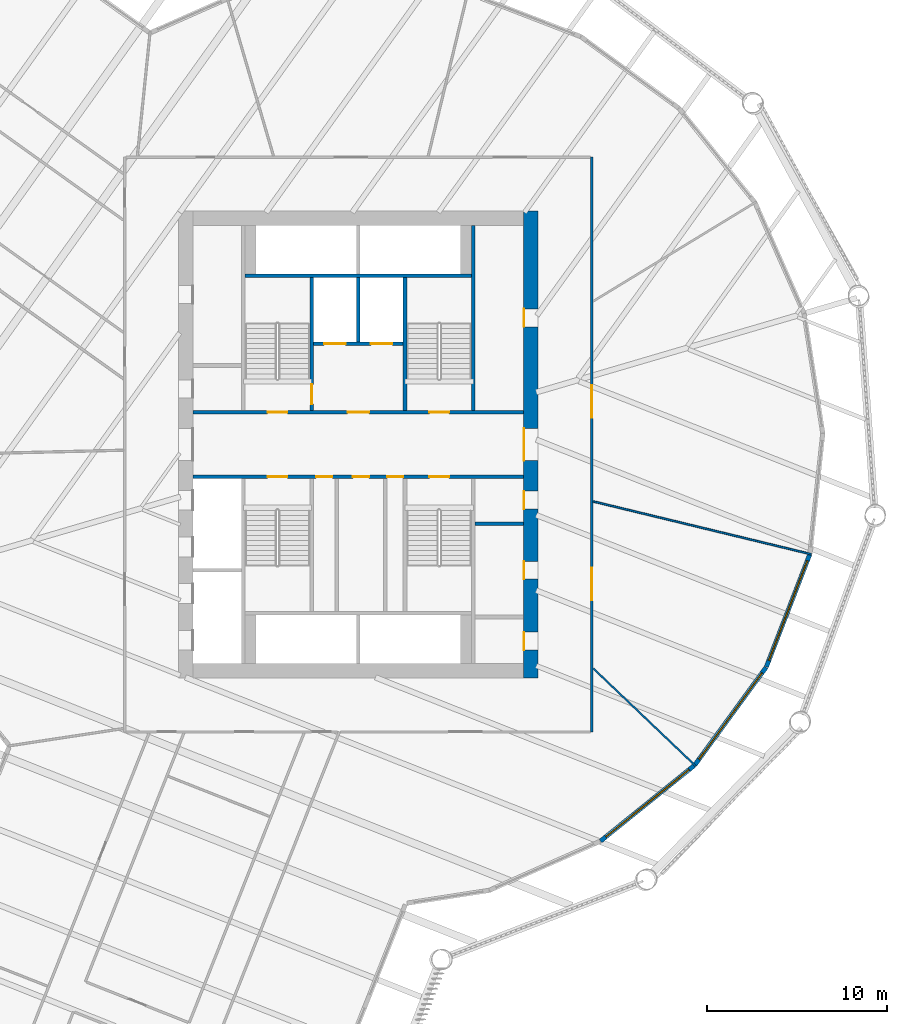
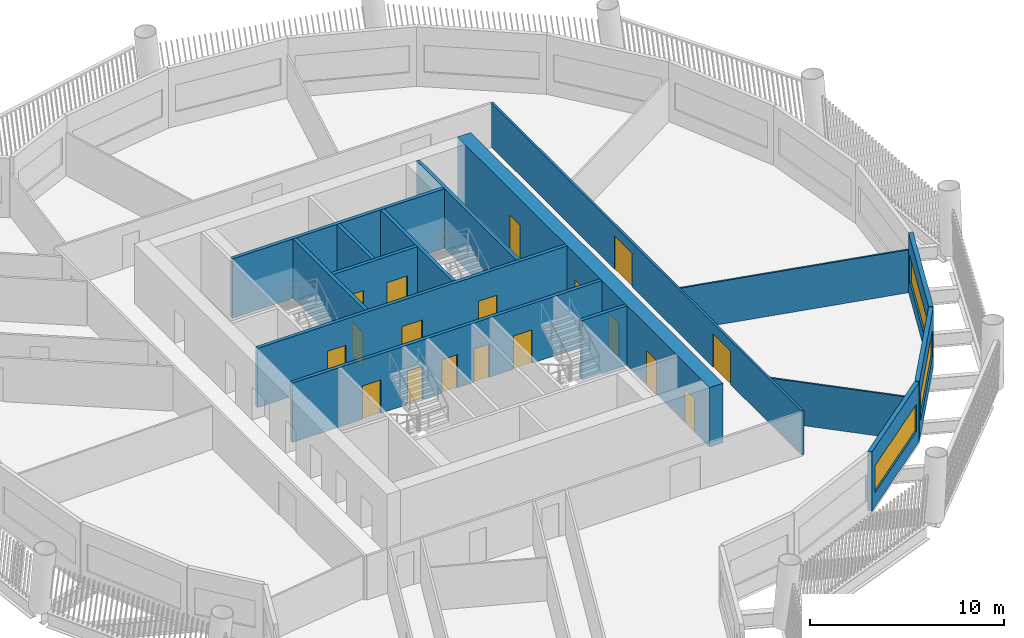
# One storey, part 5 of 17: 18 doors, 16 walls, 3 windows, 21 openings.
"""IFC4 building model written with IfcOpenShell, lengths in metres."""

from ifc_helpers import new_model, si_unit, direction, frame, frame_2d, origin, place, context, subcontext, project, spatial, rectangle, extrude, material, layer, layer_set, type_object, element, fill, save


model = new_model("IFC4")

# Units and contexts
model_context = context("Model", 3, precision=1e-05, world=origin(), true_north=direction((0.0, 1.0)))
body_context = subcontext(model_context, "Body", "Model", "MODEL_VIEW")
ifc_project = project(units=[si_unit("LENGTHUNIT", "METRE"), si_unit("AREAUNIT", "SQUARE_METRE"), si_unit("VOLUMEUNIT", "CUBIC_METRE"), si_unit("PLANEANGLEUNIT", "RADIAN"), si_unit("MASSUNIT", "GRAM", prefix="KILO")], contexts=[model_context])

# Site, building, storey
site_placement = place(None, origin())
site = spatial("IfcSite", under=ifc_project, at=site_placement, CompositionType="ELEMENT")
building_placement = place(site_placement, origin())
building = spatial("IfcBuilding", under=site, at=building_placement, Name="Tarsis Ring Headquarters", CompositionType="ELEMENT")
storey_placement = place(building_placement, frame((0.0, 0.0, 127.89990234375)))
storey = spatial("IfcBuildingStorey", under=building, at=storey_placement, Name="L29", CompositionType="ELEMENT", Elevation=127.89990234375)

# Wall
ifc_material_1 = material(Name="Blockwork", Category="masonry")
ifc_layer_1 = layer(ifc_material_1, 0.199951171875)
ifc_layer_set_1 = layer_set([ifc_layer_1], Name="Core blockwork wall 200")
wall_type_1 = type_object("IfcWallType", Name="Core blockwork wall 200", PredefinedType="PARTITIONING", material=ifc_layer_set_1)
wall_1_placement = place(storey_placement, frame((6.5, -4.39990234375, 0.0), z_axis=(0.0, 0.0, 1.0), x_axis=(1.0, 0.0, 0.0)))
element("IfcWall", 1, at=wall_1_placement, inside=storey, type_object=wall_type_1, Name="Core partition ED3", PredefinedType="PARTITIONING", context=body_context, shape_type="SweptSolid", body=[
    extrude(rectangle(XDim=2.699951171875, YDim=0.199951171875, at=frame_2d((1.35009765625, 0.0))), origin(), (0.0, 0.0, 1.0), 3.739990234375),
])

# Wall, openings, doors
ifc_material_2 = material(Name="Concrete C60/75", Category="concrete")
ifc_layer_2 = layer(ifc_material_2, 0.800048828125)
ifc_layer_set_2 = layer_set([ifc_layer_2], Name="Core wall 800 C60/75")
wall_type_2 = type_object("IfcWallType", Name="Core wall 800 C60/75", PredefinedType="SHEAR", material=ifc_layer_set_2)
wall_2_placement = place(storey_placement, frame((9.60009765625, -13.0, 0.0), z_axis=(0.0, 0.0, 1.0), x_axis=(0.0, 1.0, 0.0)))
wall_2 = element("IfcWall", 2, at=wall_2_placement, inside=storey, type_object=wall_type_2, Name="Core wall OE", PredefinedType="SHEAR", context=body_context, shape_type="SweptSolid", body=[
    extrude(rectangle(XDim=26.0, YDim=0.800048828125, at=frame_2d((13.0, 0.0))), origin(), (0.0, 0.0, 1.0), 3.739990234375),
])
opening_1_placement = place(wall_2_placement, frame((1.550048828125, 0.0, 0.0)))
opening_1 = element("IfcOpeningElement", 3, at=opening_1_placement, cuts=wall_2, Name="Opening L29-C08", PredefinedType="OPENING", context=body_context, shape_type="SweptSolid", body=[
    extrude(rectangle(XDim=1.0, YDim=2.10009765625, at=frame_2d((0.5, 1.050048828125))), frame((0.0, 0.409912109375, 0.0), z_axis=(0.0, -1.0, 0.0), x_axis=(1.0, 0.0, 0.0)), (0.0, 0.0, 1.0), 0.820068359375),
])
opening_2_placement = place(wall_2_placement, frame((5.5, 0.0, 0.0)))
opening_2 = element("IfcOpeningElement", 4, at=opening_2_placement, cuts=wall_2, Name="Opening L29-C09", PredefinedType="OPENING", context=body_context, shape_type="SweptSolid", body=[
    extrude(rectangle(XDim=1.0, YDim=2.10009765625, at=frame_2d((0.5, 1.050048828125))), frame((0.0, 0.409912109375, 0.0), z_axis=(0.0, -1.0, 0.0), x_axis=(1.0, 0.0, 0.0)), (0.0, 0.0, 1.0), 0.820068359375),
])
opening_3_placement = place(wall_2_placement, frame((9.39990234375, 0.0, 0.0)))
opening_3 = element("IfcOpeningElement", 5, at=opening_3_placement, cuts=wall_2, Name="Opening L29-C10", PredefinedType="OPENING", context=body_context, shape_type="SweptSolid", body=[
    extrude(rectangle(XDim=1.0, YDim=2.10009765625, at=frame_2d((0.5, 1.050048828125))), frame((0.0, 0.409912109375, 0.0), z_axis=(0.0, -1.0, 0.0), x_axis=(1.0, 0.0, 0.0)), (0.0, 0.0, 1.0), 0.820068359375),
])
opening_4_placement = place(wall_2_placement, frame((12.10009765625, 0.0, 0.0)))
opening_4 = element("IfcOpeningElement", 6, at=opening_4_placement, cuts=wall_2, Name="Opening L29-C11", PredefinedType="OPENING", context=body_context, shape_type="SweptSolid", body=[
    extrude(rectangle(XDim=1.800048828125, YDim=2.10009765625, at=frame_2d((0.89990234375, 1.050048828125))), frame((0.0, 0.409912109375, 0.0), z_axis=(0.0, -1.0, 0.0), x_axis=(1.0, 0.0, 0.0)), (0.0, 0.0, 1.0), 0.820068359375),
])
opening_5_placement = place(wall_2_placement, frame((19.550048828125, 0.0, 0.0)))
opening_5 = element("IfcOpeningElement", 7, at=opening_5_placement, cuts=wall_2, Name="Opening L29-C12", PredefinedType="OPENING", context=body_context, shape_type="SweptSolid", body=[
    extrude(rectangle(XDim=1.0, YDim=2.10009765625, at=frame_2d((0.5, 1.050048828125))), frame((0.0, 0.409912109375, 0.0), z_axis=(0.0, -1.0, 0.0), x_axis=(1.0, 0.0, 0.0)), (0.0, 0.0, 1.0), 0.820068359375),
])
ifc_material_3 = material(Name="Steel S355", Category="steel")
door_type_1 = type_object("IfcDoorType", Name="Core entry door 1800x2100", OperationType="DOUBLE_DOOR_SINGLE_SWING", PredefinedType="DOOR", material=ifc_material_3)
door_1_placement = place(opening_4_placement, origin())
door_1 = element("IfcDoor", 8, at=door_1_placement, inside=storey, type_object=door_type_1, Name="Core entry door L29", OperationType="DOUBLE_DOOR_SINGLE_SWING", OverallHeight=2.10009765625, OverallWidth=1.800048828125, PredefinedType="DOOR", context=body_context, shape_type="SweptSolid", body=[
    extrude(rectangle(XDim=1.800048828125, YDim=2.10009765625, at=frame_2d((0.89990234375, 1.050048828125))), frame((0.0, 0.39990234375, 0.0), z_axis=(0.0, -1.0, 0.0), x_axis=(1.0, 0.0, 0.0)), (0.0, 0.0, 1.0), 0.050048828125),
])
fill(opening_4, door_1)
door_type_2 = type_object("IfcDoorType", Name="Core room door 1000x2100", OperationType="SINGLE_SWING_LEFT", PredefinedType="DOOR", material=ifc_material_3)
door_2_placement = place(opening_1_placement, origin())
door_2 = element("IfcDoor", 9, at=door_2_placement, inside=storey, type_object=door_type_2, Name="Core room door L29", OperationType="SINGLE_SWING_LEFT", OverallHeight=2.10009765625, OverallWidth=1.0, PredefinedType="DOOR", context=body_context, shape_type="SweptSolid", body=[
    extrude(rectangle(XDim=1.0, YDim=2.10009765625, at=frame_2d((0.5, 1.050048828125))), frame((0.0, 0.39990234375, 0.0), z_axis=(0.0, -1.0, 0.0), x_axis=(1.0, 0.0, 0.0)), (0.0, 0.0, 1.0), 0.050048828125),
])
fill(opening_1, door_2)
door_3_placement = place(opening_2_placement, origin())
door_3 = element("IfcDoor", 10, at=door_3_placement, inside=storey, type_object=door_type_2, Name="Core room door L29", OperationType="SINGLE_SWING_LEFT", OverallHeight=2.10009765625, OverallWidth=1.0, PredefinedType="DOOR", context=body_context, shape_type="SweptSolid", body=[
    extrude(rectangle(XDim=1.0, YDim=2.10009765625, at=frame_2d((0.5, 1.050048828125))), frame((0.0, 0.39990234375, 0.0), z_axis=(0.0, -1.0, 0.0), x_axis=(1.0, 0.0, 0.0)), (0.0, 0.0, 1.0), 0.050048828125),
])
fill(opening_2, door_3)
door_4_placement = place(opening_3_placement, origin())
door_4 = element("IfcDoor", 11, at=door_4_placement, inside=storey, type_object=door_type_2, Name="Core room door L29", OperationType="SINGLE_SWING_LEFT", OverallHeight=2.10009765625, OverallWidth=1.0, PredefinedType="DOOR", context=body_context, shape_type="SweptSolid", body=[
    extrude(rectangle(XDim=1.0, YDim=2.10009765625, at=frame_2d((0.5, 1.050048828125))), frame((0.0, 0.39990234375, 0.0), z_axis=(0.0, -1.0, 0.0), x_axis=(1.0, 0.0, 0.0)), (0.0, 0.0, 1.0), 0.050048828125),
])
fill(opening_3, door_4)
door_5_placement = place(opening_5_placement, origin())
door_5 = element("IfcDoor", 12, at=door_5_placement, inside=storey, type_object=door_type_2, Name="Core room door L29", OperationType="SINGLE_SWING_LEFT", OverallHeight=2.10009765625, OverallWidth=1.0, PredefinedType="DOOR", context=body_context, shape_type="SweptSolid", body=[
    extrude(rectangle(XDim=1.0, YDim=2.10009765625, at=frame_2d((0.5, 1.050048828125))), frame((0.0, 0.39990234375, 0.0), z_axis=(0.0, -1.0, 0.0), x_axis=(1.0, 0.0, 0.0)), (0.0, 0.0, 1.0), 0.050048828125),
])
fill(opening_5, door_5)

# Walls
ifc_material_4 = material(Name="Gypsum board on steel studs", Category="steel")
ifc_layer_3 = layer(ifc_material_4, 0.10009765625)
ifc_layer_set_3 = layer_set([ifc_layer_3], Name="FL partition 100 unrated")
wall_type_3 = type_object("IfcWallType", Name="FL partition 100 unrated", PredefinedType="PARTITIONING", material=ifc_layer_set_3)
wall_3_placement = place(storey_placement, frame((13.068115234375, -3.166259765625, 0.0), z_axis=(0.0, 0.0, 1.0), x_axis=(0.971880178258, -0.235475941677, 0.0)))
element("IfcWall", 13, at=wall_3_placement, inside=storey, type_object=wall_type_3, Name="Partition PW3", PredefinedType="PARTITIONING", context=body_context, shape_type="SweptSolid", body=[
    extrude(rectangle(XDim=12.501708984375, YDim=0.10009765625, at=frame_2d((6.2509765625, 0.0))), origin(), (0.0, 0.0, 1.0), 2.7001953125),
])
wall_4_placement = place(storey_placement, frame((13.0869140625, -12.47119140625, 0.0), z_axis=(0.0, 0.0, 1.0), x_axis=(0.723932077164, -0.689871254405, 0.0)))
element("IfcWall", 14, at=wall_4_placement, inside=storey, type_object=wall_type_3, Name="Partition PW3", PredefinedType="PARTITIONING", context=body_context, shape_type="SweptSolid", body=[
    extrude(rectangle(XDim=7.8701171875, YDim=0.10009765625, at=frame_2d((3.93505859375, 0.0))), origin(), (0.0, 0.0, 1.0), 2.7001953125),
])

# Wall, openings, doors
ifc_layer_4 = layer(ifc_material_4, 0.125)
ifc_layer_set_4 = layer_set([ifc_layer_4], Name="FL partition 125 EI 60 H2770")
wall_type_4 = type_object("IfcWallType", Name="FL partition 125 EI 60 H2770", PredefinedType="PARTITIONING", material=ifc_layer_set_4)
wall_5_placement = place(storey_placement, frame((13.0, -15.998046875, 0.0), z_axis=(0.0, 0.0, 1.0), x_axis=(0.0, 1.0, 0.0)))
wall_5 = element("IfcWall", 15, at=wall_5_placement, inside=storey, type_object=wall_type_4, Name="Partition PW1", PredefinedType="PARTITIONING", context=body_context, shape_type="SweptSolid", body=[
    extrude(rectangle(XDim=31.998046875, YDim=0.125, at=frame_2d((15.9990234375, 0.0))), origin(), (0.0, 0.0, 1.0), 2.77001953125),
])
opening_6_placement = place(wall_5_placement, frame((17.487548828125, 0.0, 0.0)))
opening_6 = element("IfcOpeningElement", 16, at=opening_6_placement, cuts=wall_5, Name="Opening D29.07", PredefinedType="OPENING", context=body_context, shape_type="SweptSolid", body=[
    extrude(rectangle(XDim=1.800048828125, YDim=2.10009765625, at=frame_2d((0.89990234375, 1.050048828125))), frame((0.0, 0.072509765625, 0.0), z_axis=(0.0, -1.0, 0.0), x_axis=(1.0, 0.0, 0.0)), (0.0, 0.0, 1.0), 0.14501953125),
])
opening_7_placement = place(wall_5_placement, frame((7.328857421875, 0.0, 0.0)))
opening_7 = element("IfcOpeningElement", 17, at=opening_7_placement, cuts=wall_5, Name="Opening D29.08", PredefinedType="OPENING", context=body_context, shape_type="SweptSolid", body=[
    extrude(rectangle(XDim=1.800048828125, YDim=2.10009765625, at=frame_2d((0.89990234375, 1.050048828125))), frame((0.0, 0.072509765625, 0.0), z_axis=(0.0, -1.0, 0.0), x_axis=(1.0, 0.0, 0.0)), (0.0, 0.0, 1.0), 0.14501953125),
])
ifc_material_5 = material(Name="Fire-rated timber door leaf in steel frame", Category="steel")
door_type_3 = type_object("IfcDoorType", Name="FL door FD60-1800", OperationType="DOUBLE_DOOR_SINGLE_SWING", PredefinedType="DOOR", material=ifc_material_5)
door_6_placement = place(opening_6_placement, origin())
door_6 = element("IfcDoor", 18, at=door_6_placement, inside=storey, type_object=door_type_3, Name="Door D29.07", OperationType="DOUBLE_DOOR_SINGLE_SWING", OverallHeight=2.10009765625, OverallWidth=1.800048828125, PredefinedType="DOOR", context=body_context, shape_type="SweptSolid", body=[
    extrude(rectangle(XDim=1.800048828125, YDim=2.10009765625, at=frame_2d((0.89990234375, 1.050048828125))), frame((0.0, 0.02490234375, 0.0), z_axis=(0.0, -1.0, 0.0), x_axis=(1.0, 0.0, 0.0)), (0.0, 0.0, 1.0), 0.050048828125),
])
fill(opening_6, door_6)
door_7_placement = place(opening_7_placement, origin())
door_7 = element("IfcDoor", 19, at=door_7_placement, inside=storey, type_object=door_type_3, Name="Door D29.08", OperationType="DOUBLE_DOOR_SINGLE_SWING", OverallHeight=2.10009765625, OverallWidth=1.800048828125, PredefinedType="DOOR", context=body_context, shape_type="SweptSolid", body=[
    extrude(rectangle(XDim=1.800048828125, YDim=2.10009765625, at=frame_2d((0.89990234375, 1.050048828125))), frame((0.0, 0.02490234375, 0.0), z_axis=(0.0, -1.0, 0.0), x_axis=(1.0, 0.0, 0.0)), (0.0, 0.0, 1.0), 0.050048828125),
])
fill(opening_7, door_7)

# Wall, opening, window
ifc_material_6 = material(Name="Terracotta clad insulated panel wall", Category="masonry")
ifc_layer_5 = layer(ifc_material_6, 0.25)
ifc_layer_set_5 = layer_set([ifc_layer_5], Name="Facade wall terracotta panel 250")
wall_type_5 = type_object("IfcWallType", Name="Facade wall terracotta panel 250", PredefinedType="STANDARD", material=ifc_layer_set_5)
wall_6_placement = place(storey_placement, frame((13.485595703125, -22.0791015625, 0.0), z_axis=(0.0, 0.0, 1.0), x_axis=(0.778463993771, 0.627689262615, 0.0)))
wall_6 = element("IfcWall", 20, at=wall_6_placement, inside=storey, type_object=wall_type_5, Name="External wall L29-19", PredefinedType="STANDARD", context=body_context, shape_type="SweptSolid", body=[
    extrude(rectangle(XDim=6.721435546875, YDim=0.25, at=frame_2d((3.36083984375, 0.0))), origin(), (0.0, 0.0, 1.0), 3.739990234375),
])
opening_8_placement = place(wall_6_placement, frame((0.3857421875, 0.0, 0.89990234375)))
opening_8 = element("IfcOpeningElement", 21, at=opening_8_placement, cuts=wall_6, Name="Opening WN07", PredefinedType="OPENING", context=body_context, shape_type="SweptSolid", body=[
    extrude(rectangle(XDim=5.949951171875, YDim=1.699951171875, at=frame_2d((2.97509765625, 0.85009765625))), frame((0.0, 0.135009765625, 0.0), z_axis=(0.0, -1.0, 0.0), x_axis=(1.0, 0.0, 0.0)), (0.0, 0.0, 1.0), 0.27001953125),
])
ifc_material_7 = material(Name="Aluminium framed double glazing", Category="aluminium")
window_type = type_object("IfcWindowType", Name="Facade window 5950 x 1700", PartitioningType="SINGLE_PANEL", PredefinedType="WINDOW", material=ifc_material_7)
window_1_placement = place(opening_8_placement, origin())
window_1 = element("IfcWindow", 22, at=window_1_placement, inside=storey, type_object=window_type, Name="Window L29-19.1", OverallHeight=1.699951171875, OverallWidth=5.949951171875, PartitioningType="SINGLE_PANEL", PredefinedType="WINDOW", context=body_context, shape_type="SweptSolid", body=[
    extrude(rectangle(XDim=5.949951171875, YDim=1.699951171875, at=frame_2d((2.97509765625, 0.85009765625))), frame((0.0, 0.030029296875, 0.0), z_axis=(0.0, -1.0, 0.0), x_axis=(1.0, 0.0, 0.0)), (0.0, 0.0, 1.0), 0.06005859375),
])
fill(opening_8, window_1)

wall_7_placement = place(storey_placement, frame((18.74072265625, -17.83642578125, 0.0), z_axis=(0.0, 0.0, 1.0), x_axis=(0.589464586106, 0.807794219914, 0.0)))
wall_7 = element("IfcWall", 23, at=wall_7_placement, inside=storey, type_object=wall_type_5, Name="External wall L29-20", PredefinedType="STANDARD", context=body_context, shape_type="SweptSolid", body=[
    extrude(rectangle(XDim=6.7216796875, YDim=0.25, at=frame_2d((3.36083984375, 0.0))), origin(), (0.0, 0.0, 1.0), 3.739990234375),
])
opening_9_placement = place(wall_7_placement, frame((0.3857421875, 0.0, 0.89990234375)))
opening_9 = element("IfcOpeningElement", 24, at=opening_9_placement, cuts=wall_7, Name="Opening WN07", PredefinedType="OPENING", context=body_context, shape_type="SweptSolid", body=[
    extrude(rectangle(XDim=5.949951171875, YDim=1.699951171875, at=frame_2d((2.97509765625, 0.85009765625))), frame((0.0, 0.135009765625, 0.0), z_axis=(0.0, -1.0, 0.0), x_axis=(1.0, 0.0, 0.0)), (0.0, 0.0, 1.0), 0.27001953125),
])
window_2_placement = place(opening_9_placement, origin())
window_2 = element("IfcWindow", 25, at=window_2_placement, inside=storey, type_object=window_type, Name="Window L29-20.1", OverallHeight=1.699951171875, OverallWidth=5.949951171875, PartitioningType="SINGLE_PANEL", PredefinedType="WINDOW", context=body_context, shape_type="SweptSolid", body=[
    extrude(rectangle(XDim=5.949951171875, YDim=1.699951171875, at=frame_2d((2.97509765625, 0.85009765625))), frame((0.0, 0.030029296875, 0.0), z_axis=(0.0, -1.0, 0.0), x_axis=(1.0, 0.0, 0.0)), (0.0, 0.0, 1.0), 0.06005859375),
])
fill(opening_9, window_2)

wall_8_placement = place(storey_placement, frame((22.718505859375, -12.378173828125, 0.0), z_axis=(0.0, 0.0, 1.0), x_axis=(0.360317393433, 0.932829767959, 0.0)))
wall_8 = element("IfcWall", 26, at=wall_8_placement, inside=storey, type_object=wall_type_5, Name="External wall L29-21", PredefinedType="STANDARD", context=body_context, shape_type="SweptSolid", body=[
    extrude(rectangle(XDim=6.721435546875, YDim=0.25, at=frame_2d((3.36083984375, 0.0))), origin(), (0.0, 0.0, 1.0), 3.739990234375),
])
opening_10_placement = place(wall_8_placement, frame((0.3857421875, 0.0, 0.89990234375)))
opening_10 = element("IfcOpeningElement", 27, at=opening_10_placement, cuts=wall_8, Name="Opening WN07", PredefinedType="OPENING", context=body_context, shape_type="SweptSolid", body=[
    extrude(rectangle(XDim=5.949951171875, YDim=1.699951171875, at=frame_2d((2.97509765625, 0.85009765625))), frame((0.0, 0.135009765625, 0.0), z_axis=(0.0, -1.0, 0.0), x_axis=(1.0, 0.0, 0.0)), (0.0, 0.0, 1.0), 0.27001953125),
])
window_3_placement = place(opening_10_placement, origin())
window_3 = element("IfcWindow", 28, at=window_3_placement, inside=storey, type_object=window_type, Name="Window L29-21.1", OverallHeight=1.699951171875, OverallWidth=5.949951171875, PartitioningType="SINGLE_PANEL", PredefinedType="WINDOW", context=body_context, shape_type="SweptSolid", body=[
    extrude(rectangle(XDim=5.949951171875, YDim=1.699951171875, at=frame_2d((2.97509765625, 0.85009765625))), frame((0.0, 0.030029296875, 0.0), z_axis=(0.0, -1.0, 0.0), x_axis=(1.0, 0.0, 0.0)), (0.0, 0.0, 1.0), 0.06005859375),
])
fill(opening_10, window_3)

# Wall, openings, doors
ifc_material_8 = material(Name="Concrete C32/40", Category="concrete")
ifc_layer_6 = layer(ifc_material_8, 0.199951171875)
ifc_layer_set_6 = layer_set([ifc_layer_6], Name="Shaft wall 200 C32/40")
wall_type_6 = type_object("IfcWallType", Name="Shaft wall 200 C32/40", PredefinedType="SOLIDWALL", material=ifc_layer_set_6)
wall_9_placement = place(storey_placement, frame((-9.199951171875, 1.800048828125, 0.0), z_axis=(0.0, 0.0, 1.0), x_axis=(1.0, 0.0, 0.0)))
wall_9 = element("IfcWall", 29, at=wall_9_placement, inside=storey, type_object=wall_type_6, Name="Core shaft wall CN", PredefinedType="SOLIDWALL", context=body_context, shape_type="SweptSolid", body=[
    extrude(rectangle(XDim=18.39990234375, YDim=0.199951171875, at=frame_2d((9.199951171875, 0.0))), origin(), (0.0, 0.0, 1.0), 3.739990234375),
])
opening_11_placement = place(wall_9_placement, frame((4.14990234375, 0.0, 0.0)))
opening_11 = element("IfcOpeningElement", 30, at=opening_11_placement, cuts=wall_9, Name="Opening L29-C13", PredefinedType="OPENING", context=body_context, shape_type="SweptSolid", body=[
    extrude(rectangle(XDim=1.10009765625, YDim=2.10009765625, at=frame_2d((0.550048828125, 1.050048828125))), frame((0.0, 0.10986328125, 0.0), z_axis=(0.0, -1.0, 0.0), x_axis=(1.0, 0.0, 0.0)), (0.0, 0.0, 1.0), 0.219970703125),
])
opening_12_placement = place(wall_9_placement, frame((8.60009765625, 0.0, 0.0)))
opening_12 = element("IfcOpeningElement", 31, at=opening_12_placement, cuts=wall_9, Name="Opening L29-C14", PredefinedType="OPENING", context=body_context, shape_type="SweptSolid", body=[
    extrude(rectangle(XDim=1.199951171875, YDim=2.10009765625, at=frame_2d((0.60009765625, 1.050048828125))), frame((0.0, 0.10986328125, 0.0), z_axis=(0.0, -1.0, 0.0), x_axis=(1.0, 0.0, 0.0)), (0.0, 0.0, 1.0), 0.219970703125),
])
opening_13_placement = place(wall_9_placement, frame((13.14990234375, 0.0, 0.0)))
opening_13 = element("IfcOpeningElement", 32, at=opening_13_placement, cuts=wall_9, Name="Opening L29-C15", PredefinedType="OPENING", context=body_context, shape_type="SweptSolid", body=[
    extrude(rectangle(XDim=1.10009765625, YDim=2.10009765625, at=frame_2d((0.550048828125, 1.050048828125))), frame((0.0, 0.10986328125, 0.0), z_axis=(0.0, -1.0, 0.0), x_axis=(1.0, 0.0, 0.0)), (0.0, 0.0, 1.0), 0.219970703125),
])
door_type_4 = type_object("IfcDoorType", Name="Firefighting lobby door 1200x2100", OperationType="DOUBLE_DOOR_SINGLE_SWING", PredefinedType="DOOR", material=ifc_material_3)
door_8_placement = place(opening_12_placement, origin())
door_8 = element("IfcDoor", 33, at=door_8_placement, inside=storey, type_object=door_type_4, Name="Firefighting lobby door L29", OperationType="DOUBLE_DOOR_SINGLE_SWING", OverallHeight=2.10009765625, OverallWidth=1.199951171875, PredefinedType="DOOR", context=body_context, shape_type="SweptSolid", body=[
    extrude(rectangle(XDim=1.199951171875, YDim=2.10009765625, at=frame_2d((0.60009765625, 1.050048828125))), frame((0.0, 0.02490234375, 0.0), z_axis=(0.0, -1.0, 0.0), x_axis=(1.0, 0.0, 0.0)), (0.0, 0.0, 1.0), 0.050048828125),
])
fill(opening_12, door_8)
door_type_5 = type_object("IfcDoorType", Name="Stair door 1100x2100", OperationType="SINGLE_SWING_LEFT", PredefinedType="DOOR", material=ifc_material_3)
door_9_placement = place(opening_11_placement, origin())
door_9 = element("IfcDoor", 34, at=door_9_placement, inside=storey, type_object=door_type_5, Name="Stair door L29", OperationType="SINGLE_SWING_LEFT", OverallHeight=2.10009765625, OverallWidth=1.10009765625, PredefinedType="DOOR", context=body_context, shape_type="SweptSolid", body=[
    extrude(rectangle(XDim=1.10009765625, YDim=2.10009765625, at=frame_2d((0.550048828125, 1.050048828125))), frame((0.0, 0.02490234375, 0.0), z_axis=(0.0, -1.0, 0.0), x_axis=(1.0, 0.0, 0.0)), (0.0, 0.0, 1.0), 0.050048828125),
])
fill(opening_11, door_9)
door_10_placement = place(opening_13_placement, origin())
door_10 = element("IfcDoor", 35, at=door_10_placement, inside=storey, type_object=door_type_5, Name="Stair door L29", OperationType="SINGLE_SWING_LEFT", OverallHeight=2.10009765625, OverallWidth=1.10009765625, PredefinedType="DOOR", context=body_context, shape_type="SweptSolid", body=[
    extrude(rectangle(XDim=1.10009765625, YDim=2.10009765625, at=frame_2d((0.550048828125, 1.050048828125))), frame((0.0, 0.02490234375, 0.0), z_axis=(0.0, -1.0, 0.0), x_axis=(1.0, 0.0, 0.0)), (0.0, 0.0, 1.0), 0.050048828125),
])
fill(opening_13, door_10)

wall_10_placement = place(storey_placement, frame((-9.199951171875, -1.800048828125, 0.0), z_axis=(0.0, 0.0, 1.0), x_axis=(1.0, 0.0, 0.0)))
wall_10 = element("IfcWall", 36, at=wall_10_placement, inside=storey, type_object=wall_type_6, Name="Core shaft wall CS", PredefinedType="SOLIDWALL", context=body_context, shape_type="SweptSolid", body=[
    extrude(rectangle(XDim=18.39990234375, YDim=0.199951171875, at=frame_2d((9.199951171875, 0.0))), origin(), (0.0, 0.0, 1.0), 3.739990234375),
])
opening_14_placement = place(wall_10_placement, frame((4.14990234375, 0.0, 0.0)))
opening_14 = element("IfcOpeningElement", 37, at=opening_14_placement, cuts=wall_10, Name="Opening L29-C16", PredefinedType="OPENING", context=body_context, shape_type="SweptSolid", body=[
    extrude(rectangle(XDim=1.10009765625, YDim=2.10009765625, at=frame_2d((0.550048828125, 1.050048828125))), frame((0.0, 0.10986328125, 0.0), z_axis=(0.0, -1.0, 0.0), x_axis=(1.0, 0.0, 0.0)), (0.0, 0.0, 1.0), 0.219970703125),
])
opening_15_placement = place(wall_10_placement, frame((6.85009765625, 0.0, 0.0)))
opening_15 = element("IfcOpeningElement", 38, at=opening_15_placement, cuts=wall_10, Name="Opening L29-C17", PredefinedType="OPENING", context=body_context, shape_type="SweptSolid", body=[
    extrude(rectangle(XDim=0.89990234375, YDim=2.10009765625, at=frame_2d((0.449951171875, 1.050048828125))), frame((0.0, 0.10986328125, 0.0), z_axis=(0.0, -1.0, 0.0), x_axis=(1.0, 0.0, 0.0)), (0.0, 0.0, 1.0), 0.219970703125),
])
opening_16_placement = place(wall_10_placement, frame((8.89990234375, 0.0, 0.0)))
opening_16 = element("IfcOpeningElement", 39, at=opening_16_placement, cuts=wall_10, Name="Opening L29-C18", PredefinedType="OPENING", context=body_context, shape_type="SweptSolid", body=[
    extrude(rectangle(XDim=0.89990234375, YDim=2.10009765625, at=frame_2d((0.449951171875, 1.050048828125))), frame((0.0, 0.10986328125, 0.0), z_axis=(0.0, -1.0, 0.0), x_axis=(1.0, 0.0, 0.0)), (0.0, 0.0, 1.0), 0.219970703125),
])
opening_17_placement = place(wall_10_placement, frame((10.800048828125, 0.0, 0.0)))
opening_17 = element("IfcOpeningElement", 40, at=opening_17_placement, cuts=wall_10, Name="Opening L29-C19", PredefinedType="OPENING", context=body_context, shape_type="SweptSolid", body=[
    extrude(rectangle(XDim=0.89990234375, YDim=2.10009765625, at=frame_2d((0.449951171875, 1.050048828125))), frame((0.0, 0.10986328125, 0.0), z_axis=(0.0, -1.0, 0.0), x_axis=(1.0, 0.0, 0.0)), (0.0, 0.0, 1.0), 0.219970703125),
])
opening_18_placement = place(wall_10_placement, frame((13.14990234375, 0.0, 0.0)))
opening_18 = element("IfcOpeningElement", 41, at=opening_18_placement, cuts=wall_10, Name="Opening L29-C20", PredefinedType="OPENING", context=body_context, shape_type="SweptSolid", body=[
    extrude(rectangle(XDim=1.10009765625, YDim=2.10009765625, at=frame_2d((0.550048828125, 1.050048828125))), frame((0.0, 0.10986328125, 0.0), z_axis=(0.0, -1.0, 0.0), x_axis=(1.0, 0.0, 0.0)), (0.0, 0.0, 1.0), 0.219970703125),
])
door_11_placement = place(opening_14_placement, origin())
door_11 = element("IfcDoor", 42, at=door_11_placement, inside=storey, type_object=door_type_5, Name="Stair door L29", OperationType="SINGLE_SWING_LEFT", OverallHeight=2.10009765625, OverallWidth=1.10009765625, PredefinedType="DOOR", context=body_context, shape_type="SweptSolid", body=[
    extrude(rectangle(XDim=1.10009765625, YDim=2.10009765625, at=frame_2d((0.550048828125, 1.050048828125))), frame((0.0, 0.02490234375, 0.0), z_axis=(0.0, -1.0, 0.0), x_axis=(1.0, 0.0, 0.0)), (0.0, 0.0, 1.0), 0.050048828125),
])
fill(opening_14, door_11)
door_12_placement = place(opening_18_placement, origin())
door_12 = element("IfcDoor", 43, at=door_12_placement, inside=storey, type_object=door_type_5, Name="Stair door L29", OperationType="SINGLE_SWING_LEFT", OverallHeight=2.10009765625, OverallWidth=1.10009765625, PredefinedType="DOOR", context=body_context, shape_type="SweptSolid", body=[
    extrude(rectangle(XDim=1.10009765625, YDim=2.10009765625, at=frame_2d((0.550048828125, 1.050048828125))), frame((0.0, 0.02490234375, 0.0), z_axis=(0.0, -1.0, 0.0), x_axis=(1.0, 0.0, 0.0)), (0.0, 0.0, 1.0), 0.050048828125),
])
fill(opening_18, door_12)
door_type_6 = type_object("IfcDoorType", Name="WC door 900x2100", OperationType="SINGLE_SWING_LEFT", PredefinedType="DOOR", material=ifc_material_3)
door_13_placement = place(opening_15_placement, origin())
door_13 = element("IfcDoor", 44, at=door_13_placement, inside=storey, type_object=door_type_6, Name="WC door L29", OperationType="SINGLE_SWING_LEFT", OverallHeight=2.10009765625, OverallWidth=0.89990234375, PredefinedType="DOOR", context=body_context, shape_type="SweptSolid", body=[
    extrude(rectangle(XDim=0.89990234375, YDim=2.10009765625, at=frame_2d((0.449951171875, 1.050048828125))), frame((0.0, 0.02490234375, 0.0), z_axis=(0.0, -1.0, 0.0), x_axis=(1.0, 0.0, 0.0)), (0.0, 0.0, 1.0), 0.050048828125),
])
fill(opening_15, door_13)
door_14_placement = place(opening_16_placement, origin())
door_14 = element("IfcDoor", 45, at=door_14_placement, inside=storey, type_object=door_type_6, Name="WC door L29", OperationType="SINGLE_SWING_LEFT", OverallHeight=2.10009765625, OverallWidth=0.89990234375, PredefinedType="DOOR", context=body_context, shape_type="SweptSolid", body=[
    extrude(rectangle(XDim=0.89990234375, YDim=2.10009765625, at=frame_2d((0.449951171875, 1.050048828125))), frame((0.0, 0.02490234375, 0.0), z_axis=(0.0, -1.0, 0.0), x_axis=(1.0, 0.0, 0.0)), (0.0, 0.0, 1.0), 0.050048828125),
])
fill(opening_16, door_14)
door_15_placement = place(opening_17_placement, origin())
door_15 = element("IfcDoor", 46, at=door_15_placement, inside=storey, type_object=door_type_6, Name="WC door L29", OperationType="SINGLE_SWING_LEFT", OverallHeight=2.10009765625, OverallWidth=0.89990234375, PredefinedType="DOOR", context=body_context, shape_type="SweptSolid", body=[
    extrude(rectangle(XDim=0.89990234375, YDim=2.10009765625, at=frame_2d((0.449951171875, 1.050048828125))), frame((0.0, 0.02490234375, 0.0), z_axis=(0.0, -1.0, 0.0), x_axis=(1.0, 0.0, 0.0)), (0.0, 0.0, 1.0), 0.050048828125),
])
fill(opening_17, door_15)

# Walls
wall_11_placement = place(storey_placement, frame((6.39990234375, 1.89990234375, 0.0), z_axis=(0.0, 0.0, 1.0), x_axis=(0.0, 1.0, 0.0)))
element("IfcWall", 47, at=wall_11_placement, inside=storey, type_object=wall_type_6, Name="Core shaft wall EB2", PredefinedType="SOLIDWALL", context=body_context, shape_type="SweptSolid", body=[
    extrude(rectangle(XDim=10.300048828125, YDim=0.199951171875, at=frame_2d((5.14990234375, 0.0))), origin(), (0.0, 0.0, 1.0), 3.739990234375),
])
wall_12_placement = place(storey_placement, frame((-6.300048828125, 9.39990234375, 0.0), z_axis=(0.0, 0.0, 1.0), x_axis=(1.0, 0.0, 0.0)))
element("IfcWall", 48, at=wall_12_placement, inside=storey, type_object=wall_type_6, Name="Core shaft wall NB", PredefinedType="SOLIDWALL", context=body_context, shape_type="SweptSolid", body=[
    extrude(rectangle(XDim=12.60009765625, YDim=0.199951171875, at=frame_2d((6.300048828125, 0.0))), origin(), (0.0, 0.0, 1.0), 3.739990234375),
])

# Wall, opening, door
wall_13_placement = place(storey_placement, frame((-2.60009765625, 1.89990234375, 0.0), z_axis=(0.0, 0.0, 1.0), x_axis=(0.0, 1.0, 0.0)))
wall_13 = element("IfcWall", 49, at=wall_13_placement, inside=storey, type_object=wall_type_6, Name="Core shaft wall SW1", PredefinedType="SOLIDWALL", context=body_context, shape_type="SweptSolid", body=[
    extrude(rectangle(XDim=7.400146484375, YDim=0.199951171875, at=frame_2d((3.7001953125, 0.0))), origin(), (0.0, 0.0, 1.0), 3.739990234375),
])
opening_19_placement = place(wall_13_placement, frame((0.35009765625, 0.0, 0.0)))
opening_19 = element("IfcOpeningElement", 50, at=opening_19_placement, cuts=wall_13, Name="Opening L29-C21", PredefinedType="OPENING", context=body_context, shape_type="SweptSolid", body=[
    extrude(rectangle(XDim=1.10009765625, YDim=2.10009765625, at=frame_2d((0.550048828125, 1.050048828125))), frame((0.0, 0.10986328125, 0.0), z_axis=(0.0, -1.0, 0.0), x_axis=(1.0, 0.0, 0.0)), (0.0, 0.0, 1.0), 0.219970703125),
])
door_16_placement = place(opening_19_placement, origin())
door_16 = element("IfcDoor", 51, at=door_16_placement, inside=storey, type_object=door_type_5, Name="Stair door L29", OperationType="SINGLE_SWING_LEFT", OverallHeight=2.10009765625, OverallWidth=1.10009765625, PredefinedType="DOOR", context=body_context, shape_type="SweptSolid", body=[
    extrude(rectangle(XDim=1.10009765625, YDim=2.10009765625, at=frame_2d((0.550048828125, 1.050048828125))), frame((0.0, 0.02490234375, 0.0), z_axis=(0.0, -1.0, 0.0), x_axis=(1.0, 0.0, 0.0)), (0.0, 0.0, 1.0), 0.050048828125),
])
fill(opening_19, door_16)

# Wall
wall_14_placement = place(storey_placement, frame((2.60009765625, 1.89990234375, 0.0), z_axis=(0.0, 0.0, 1.0), x_axis=(0.0, 1.0, 0.0)))
element("IfcWall", 52, at=wall_14_placement, inside=storey, type_object=wall_type_6, Name="Core shaft wall SW2", PredefinedType="SOLIDWALL", context=body_context, shape_type="SweptSolid", body=[
    extrude(rectangle(XDim=7.400146484375, YDim=0.199951171875, at=frame_2d((3.7001953125, 0.0))), origin(), (0.0, 0.0, 1.0), 3.739990234375),
])

# Wall, openings, doors
wall_15_placement = place(storey_placement, frame((-2.5, 5.60009765625, 0.0), z_axis=(0.0, 0.0, 1.0), x_axis=(1.0, 0.0, 0.0)))
wall_15 = element("IfcWall", 53, at=wall_15_placement, inside=storey, type_object=wall_type_6, Name="Core shaft wall FFN", PredefinedType="SOLIDWALL", context=body_context, shape_type="SweptSolid", body=[
    extrude(rectangle(XDim=5.0, YDim=0.199951171875, at=frame_2d((2.5, 0.0))), origin(), (0.0, 0.0, 1.0), 3.739990234375),
])
opening_20_placement = place(wall_15_placement, frame((0.60009765625, 0.0, 0.0)))
opening_20 = element("IfcOpeningElement", 54, at=opening_20_placement, cuts=wall_15, Name="Opening LDF-1", PredefinedType="OPENING", context=body_context, shape_type="SweptSolid", body=[
    extrude(rectangle(XDim=1.199951171875, YDim=2.10009765625, at=frame_2d((0.60009765625, 1.050048828125))), frame((0.0, 0.10986328125, 0.0), z_axis=(0.0, -1.0, 0.0), x_axis=(1.0, 0.0, 0.0)), (0.0, 0.0, 1.0), 0.219970703125),
])
opening_21_placement = place(wall_15_placement, frame((3.199951171875, 0.0, 0.0)))
opening_21 = element("IfcOpeningElement", 55, at=opening_21_placement, cuts=wall_15, Name="Opening LDF-2", PredefinedType="OPENING", context=body_context, shape_type="SweptSolid", body=[
    extrude(rectangle(XDim=1.199951171875, YDim=2.10009765625, at=frame_2d((0.60009765625, 1.050048828125))), frame((0.0, 0.10986328125, 0.0), z_axis=(0.0, -1.0, 0.0), x_axis=(1.0, 0.0, 0.0)), (0.0, 0.0, 1.0), 0.219970703125),
])
door_type_7 = type_object("IfcDoorType", Name="Firefighting landing door 1200x2100", OperationType="SLIDING_TO_LEFT", PredefinedType="DOOR", material=ifc_material_3)
door_17_placement = place(opening_20_placement, origin())
door_17 = element("IfcDoor", 56, at=door_17_placement, inside=storey, type_object=door_type_7, Name="Landing door FF1 L29", OperationType="SLIDING_TO_LEFT", OverallHeight=2.10009765625, OverallWidth=1.199951171875, PredefinedType="DOOR", context=body_context, shape_type="SweptSolid", body=[
    extrude(rectangle(XDim=1.199951171875, YDim=2.10009765625, at=frame_2d((0.60009765625, 1.050048828125))), frame((0.0, 0.02490234375, 0.0), z_axis=(0.0, -1.0, 0.0), x_axis=(1.0, 0.0, 0.0)), (0.0, 0.0, 1.0), 0.050048828125),
])
fill(opening_20, door_17)
door_18_placement = place(opening_21_placement, origin())
door_18 = element("IfcDoor", 57, at=door_18_placement, inside=storey, type_object=door_type_7, Name="Landing door FF2 L29", OperationType="SLIDING_TO_LEFT", OverallHeight=2.10009765625, OverallWidth=1.199951171875, PredefinedType="DOOR", context=body_context, shape_type="SweptSolid", body=[
    extrude(rectangle(XDim=1.199951171875, YDim=2.10009765625, at=frame_2d((0.60009765625, 1.050048828125))), frame((0.0, 0.02490234375, 0.0), z_axis=(0.0, -1.0, 0.0), x_axis=(1.0, 0.0, 0.0)), (0.0, 0.0, 1.0), 0.050048828125),
])
fill(opening_21, door_18)

# Wall
wall_16_placement = place(storey_placement, frame((0.0, 5.699951171875, 0.0), z_axis=(0.0, 0.0, 1.0), x_axis=(0.0, 1.0, 0.0)))
element("IfcWall", 58, at=wall_16_placement, inside=storey, type_object=wall_type_6, Name="Core shaft wall FFD", PredefinedType="SOLIDWALL", context=body_context, shape_type="SweptSolid", body=[
    extrude(rectangle(XDim=3.60009765625, YDim=0.199951171875, at=frame_2d((1.800048828125, 0.0))), origin(), (0.0, 0.0, 1.0), 3.739990234375),
])

save(model, "model.ifc")
